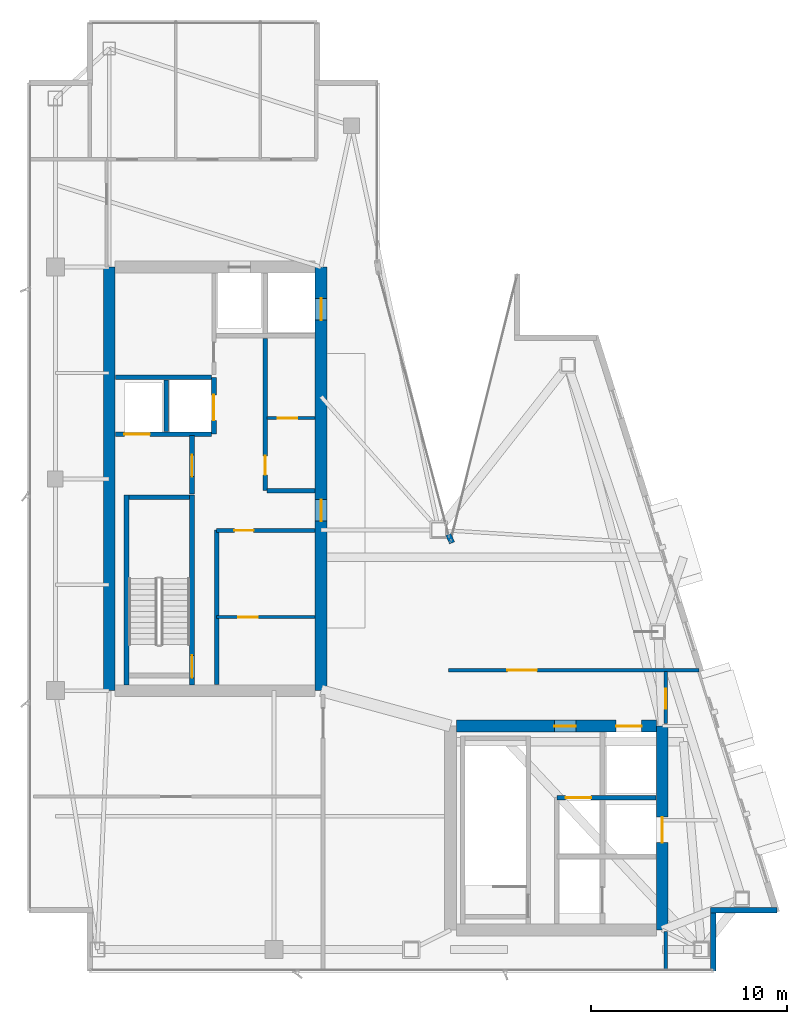
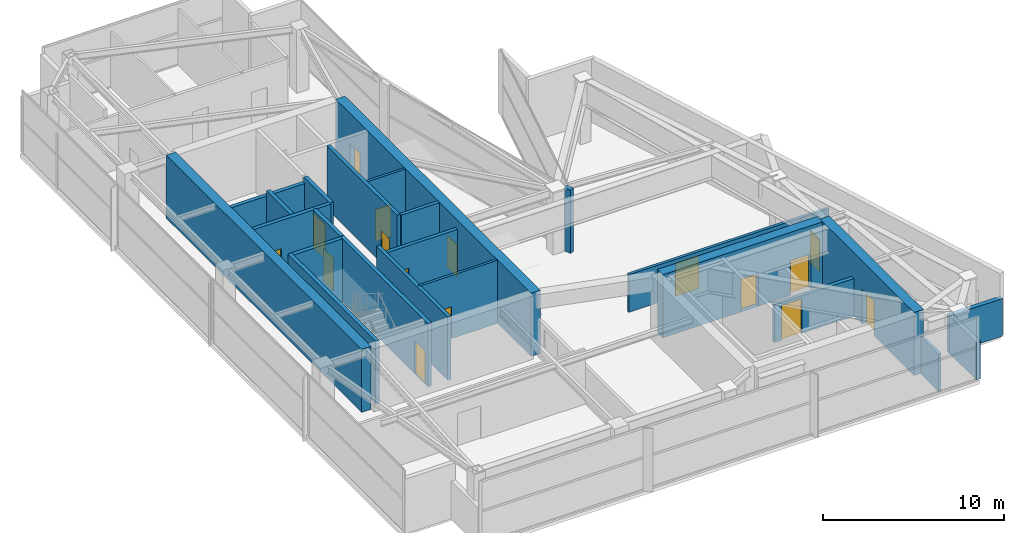
# One storey, part 21 of 25: 25 walls, 16 doors, 16 openings.
"""IFC4 building model written with IfcOpenShell, lengths in metres."""

from ifc_helpers import new_model, si_unit, direction, frame, frame_2d, origin, place, context, subcontext, project, spatial, rectangle, extrude, material, layer, layer_set, type_object, element, fill, save


model = new_model("IFC4")

# Units and contexts
model_context = context("Model", 3, precision=1e-05, world=origin(), true_north=direction((0.0, 1.0)))
body_context = subcontext(model_context, "Body", "Model", "MODEL_VIEW")
ifc_project = project(units=[si_unit("LENGTHUNIT", "METRE"), si_unit("AREAUNIT", "SQUARE_METRE"), si_unit("VOLUMEUNIT", "CUBIC_METRE"), si_unit("PLANEANGLEUNIT", "RADIAN"), si_unit("MASSUNIT", "GRAM", prefix="KILO")], contexts=[model_context])

# Site, building, storey
site_placement = place(None, origin())
site = spatial("IfcSite", under=ifc_project, at=site_placement, CompositionType="ELEMENT")
building_placement = place(site_placement, origin())
building = spatial("IfcBuilding", under=site, at=building_placement, Name="Calvorn Quay Hotel", CompositionType="ELEMENT")
storey_placement = place(building_placement, frame((0.0, 0.0, 316.0)))
storey = spatial("IfcBuildingStorey", under=building, at=storey_placement, Name="L78", CompositionType="ELEMENT", Elevation=316.0)

# Wall
ifc_material_1 = material(Name="Concrete C45", Category="concrete")
ifc_layer_1 = layer(ifc_material_1, 0.60009765625)
ifc_layer_set_1 = layer_set([ifc_layer_1], Name="WL-CORE-600")
wall_type_1 = type_object("IfcWallType", Name="WL-CORE-600", PredefinedType="SHEAR", material=ifc_layer_set_1)
wall_1_placement = place(storey_placement, frame((4.199951171875, 16.800048828125, 0.0), z_axis=(0.0, 0.0, 1.0), x_axis=(0.0, 1.0, 0.0)))
element("IfcWall", 1, at=wall_1_placement, inside=storey, type_object=wall_type_1, Name="West Core Shear Wall W (L78)", PredefinedType="SHEAR", context=body_context, shape_type="SweptSolid", body=[
    extrude(rectangle(XDim=21.599853515625, YDim=0.60009765625, at=frame_2d((10.7998046875, 0.0))), origin(), (0.0, 0.0, 1.0), 4.260009765625),
])

# Wall, openings, doors
wall_2_placement = place(storey_placement, frame((15.0, 16.800048828125, 0.0), z_axis=(0.0, 0.0, 1.0), x_axis=(0.0, 1.0, 0.0)))
wall_2 = element("IfcWall", 2, at=wall_2_placement, inside=storey, type_object=wall_type_1, Name="West Core Shear Wall E (L78)", PredefinedType="SHEAR", context=body_context, shape_type="SweptSolid", body=[
    extrude(rectangle(XDim=21.599853515625, YDim=0.60009765625, at=frame_2d((10.7998046875, 0.0))), origin(), (0.0, 0.0, 1.0), 4.260009765625),
])
opening_1_placement = place(wall_2_placement, frame((8.64990234375, 0.0, 0.0)))
opening_1 = element("IfcOpeningElement", 3, at=opening_1_placement, cuts=wall_2, Name="Opening D-L78-CW1", PredefinedType="OPENING", context=body_context, shape_type="SweptSolid", body=[
    extrude(rectangle(XDim=1.10009765625, YDim=2.199951171875, at=frame_2d((0.550048828125, 1.10009765625))), frame((0.0, 0.31005859375, 0.0), z_axis=(0.0, -1.0, 0.0), x_axis=(1.0, 0.0, 0.0)), (0.0, 0.0, 1.0), 0.6201171875),
])
opening_2_placement = place(wall_2_placement, frame((18.89990234375, 0.0, 0.0)))
opening_2 = element("IfcOpeningElement", 4, at=opening_2_placement, cuts=wall_2, Name="Opening LD-L78-H1", PredefinedType="OPENING", context=body_context, shape_type="SweptSolid", body=[
    extrude(rectangle(XDim=1.10009765625, YDim=2.199951171875, at=frame_2d((0.550048828125, 1.10009765625))), frame((0.0, 0.31005859375, 0.0), z_axis=(0.0, -1.0, 0.0), x_axis=(1.0, 0.0, 0.0)), (0.0, 0.0, 1.0), 0.6201171875),
])
ifc_material_2 = material(Name="Smoke-Sealed Steel Class A Fire Door", Category="steel")
door_type_1 = type_object("IfcDoorType", Name="DR-FFLOBBY-1100", OperationType="NOTDEFINED", PredefinedType="DOOR", material=ifc_material_2)
door_1_placement = place(opening_1_placement, origin())
door_1 = element("IfcDoor", 5, at=door_1_placement, inside=storey, type_object=door_type_1, Name="West Core Vestibule Fire Door (L78)", OperationType="SINGLE_SWING_LEFT", OverallHeight=2.199951171875, OverallWidth=1.10009765625, PredefinedType="DOOR", context=body_context, shape_type="SweptSolid", body=[
    extrude(rectangle(XDim=1.10009765625, YDim=2.199951171875, at=frame_2d((0.550048828125, 1.10009765625))), frame((0.0, 0.02490234375, 0.0), z_axis=(0.0, -1.0, 0.0), x_axis=(1.0, 0.0, 0.0)), (0.0, 0.0, 1.0), 0.050048828125),
])
fill(opening_1, door_1)
ifc_material_3 = material(Name="Brushed Stainless Steel Sliding Lift Landing Door", Category="steel")
door_type_2 = type_object("IfcDoorType", Name="DR-LIFT-PASS-1100", OperationType="NOTDEFINED", PredefinedType="DOOR", material=ifc_material_3)
door_2_placement = place(opening_2_placement, origin())
door_2 = element("IfcDoor", 6, at=door_2_placement, inside=storey, type_object=door_type_2, Name="High-Rise Lift PL-H1 Landing Door (L78)", OperationType="DOUBLE_DOOR_SLIDING", OverallHeight=2.199951171875, OverallWidth=1.10009765625, PredefinedType="DOOR", context=body_context, shape_type="SweptSolid", body=[
    extrude(rectangle(XDim=1.10009765625, YDim=2.199951171875, at=frame_2d((0.550048828125, 1.10009765625))), frame((0.0, 0.02490234375, 0.0), z_axis=(0.0, -1.0, 0.0), x_axis=(1.0, 0.0, 0.0)), (0.0, 0.0, 1.0), 0.050048828125),
])
fill(opening_2, door_2)

# Wall, opening, door
wall_3_placement = place(storey_placement, frame((32.39990234375, 4.60009765625, 0.0), z_axis=(0.0, 0.0, 1.0), x_axis=(0.0, 1.0, 0.0)))
wall_3 = element("IfcWall", 7, at=wall_3_placement, inside=storey, type_object=wall_type_1, Name="East Core Shear Wall E (L78)", PredefinedType="SHEAR", context=body_context, shape_type="SweptSolid", body=[
    extrude(rectangle(XDim=10.39990234375, YDim=0.60009765625, at=frame_2d((5.199951171875, 0.0))), origin(), (0.0, 0.0, 1.0), 4.260009765625),
])
opening_3_placement = place(wall_3_placement, frame((4.449951171875, 0.0, 0.0)))
opening_3 = element("IfcOpeningElement", 8, at=opening_3_placement, cuts=wall_3, Name="Opening LD-L78-OB2", PredefinedType="OPENING", context=body_context, shape_type="SweptSolid", body=[
    extrude(rectangle(XDim=1.300048828125, YDim=2.35009765625, at=frame_2d((0.64990234375, 1.175048828125))), frame((0.0, 0.31005859375, 0.0), z_axis=(0.0, -1.0, 0.0), x_axis=(1.0, 0.0, 0.0)), (0.0, 0.0, 1.0), 0.6201171875),
])
ifc_material_4 = material(Name="Champagne-Bronze Sliding Express Lift Landing Door")
door_type_3 = type_object("IfcDoorType", Name="DR-LIFT-SHUTTLE-1300", OperationType="NOTDEFINED", PredefinedType="DOOR", material=ifc_material_4)
door_3_placement = place(opening_3_placement, origin())
door_3 = element("IfcDoor", 9, at=door_3_placement, inside=storey, type_object=door_type_3, Name="Observation Shuttle PL-OB2 Landing Door (L78)", OperationType="DOUBLE_DOOR_SLIDING", OverallHeight=2.35009765625, OverallWidth=1.300048828125, PredefinedType="DOOR", context=body_context, shape_type="SweptSolid", body=[
    extrude(rectangle(XDim=1.300048828125, YDim=2.35009765625, at=frame_2d((0.64990234375, 1.175048828125))), frame((0.0, 0.02490234375, 0.0), z_axis=(0.0, -1.0, 0.0), x_axis=(1.0, 0.0, 0.0)), (0.0, 0.0, 1.0), 0.050048828125),
])
fill(opening_3, door_3)

# Wall, openings, doors
wall_4_placement = place(storey_placement, frame((21.89990234375, 15.0, 0.0), z_axis=(0.0, 0.0, 1.0), x_axis=(1.0, 0.0, 0.0)))
wall_4 = element("IfcWall", 10, at=wall_4_placement, inside=storey, type_object=wall_type_1, Name="East Core Shear Wall N (L78)", PredefinedType="SHEAR", context=body_context, shape_type="SweptSolid", body=[
    extrude(rectangle(XDim=10.2001953125, YDim=0.60009765625, at=frame_2d((5.10009765625, 0.0))), origin(), (0.0, 0.0, 1.0), 4.260009765625),
])
opening_4_placement = place(wall_4_placement, frame((5.0, 0.0, 0.0)))
opening_4 = element("IfcOpeningElement", 11, at=opening_4_placement, cuts=wall_4, Name="Opening D-L78-FLE", PredefinedType="OPENING", context=body_context, shape_type="SweptSolid", body=[
    extrude(rectangle(XDim=1.10009765625, YDim=2.199951171875, at=frame_2d((0.550048828125, 1.10009765625))), frame((0.0, 0.31005859375, 0.0), z_axis=(0.0, -1.0, 0.0), x_axis=(1.0, 0.0, 0.0)), (0.0, 0.0, 1.0), 0.6201171875),
])
opening_5_placement = place(wall_4_placement, frame((8.14990234375, 0.0, 0.0)))
opening_5 = element("IfcOpeningElement", 12, at=opening_5_placement, cuts=wall_4, Name="Opening LD-L78-OB1", PredefinedType="OPENING", context=body_context, shape_type="SweptSolid", body=[
    extrude(rectangle(XDim=1.300048828125, YDim=2.35009765625, at=frame_2d((0.64990234375, 1.175048828125))), frame((0.0, 0.31005859375, 0.0), z_axis=(0.0, -1.0, 0.0), x_axis=(1.0, 0.0, 0.0)), (0.0, 0.0, 1.0), 0.6201171875),
])
door_4_placement = place(opening_4_placement, origin())
door_4 = element("IfcDoor", 13, at=door_4_placement, inside=storey, type_object=door_type_1, Name="East Firefighting Lobby Fire Door (L78)", OperationType="SINGLE_SWING_RIGHT", OverallHeight=2.199951171875, OverallWidth=1.10009765625, PredefinedType="DOOR", context=body_context, shape_type="SweptSolid", body=[
    extrude(rectangle(XDim=1.10009765625, YDim=2.199951171875, at=frame_2d((0.550048828125, 1.10009765625))), frame((0.0, 0.02490234375, 0.0), z_axis=(0.0, -1.0, 0.0), x_axis=(1.0, 0.0, 0.0)), (0.0, 0.0, 1.0), 0.050048828125),
])
fill(opening_4, door_4)
door_5_placement = place(opening_5_placement, origin())
door_5 = element("IfcDoor", 14, at=door_5_placement, inside=storey, type_object=door_type_3, Name="Observation Shuttle PL-OB1 Landing Door (L78)", OperationType="DOUBLE_DOOR_SLIDING", OverallHeight=2.35009765625, OverallWidth=1.300048828125, PredefinedType="DOOR", context=body_context, shape_type="SweptSolid", body=[
    extrude(rectangle(XDim=1.300048828125, YDim=2.35009765625, at=frame_2d((0.64990234375, 1.175048828125))), frame((0.0, 0.02490234375, 0.0), z_axis=(0.0, -1.0, 0.0), x_axis=(1.0, 0.0, 0.0)), (0.0, 0.0, 1.0), 0.050048828125),
])
fill(opening_5, door_5)

# Wall, opening, door
ifc_material_5 = material(Name="Acoustic Fireboard Steel-Stud Partition", Category="steel")
ifc_layer_2 = layer(ifc_material_5, 0.179931640625)
ifc_layer_set_2 = layer_set([ifc_layer_2], Name="WL-CORR-FIRE-180")
wall_type_2 = type_object("IfcWallType", Name="WL-CORR-FIRE-180", PredefinedType="PARTITIONING", material=ifc_layer_set_2)
wall_5_placement = place(storey_placement, frame((21.5, 17.85009765625, 0.0), z_axis=(0.0, 0.0, 1.0), x_axis=(1.0, 0.0, 0.0)))
wall_5 = element("IfcWall", 15, at=wall_5_placement, inside=storey, type_object=wall_type_2, Name="Partition Wall L78-WL-SK-SE-N", PredefinedType="PARTITIONING", context=body_context, shape_type="SweptSolid", body=[
    extrude(rectangle(XDim=12.780029296875, YDim=0.179931640625, at=frame_2d((6.39013671875, 0.0))), origin(), (0.0, 0.0, 1.0), 2.5400390625),
])
opening_6_placement = place(wall_5_placement, frame((3.0, 0.0, 0.0)))
opening_6 = element("IfcOpeningElement", 16, at=opening_6_placement, cuts=wall_5, Name="Opening D-L78-A2", PredefinedType="OPENING", context=body_context, shape_type="SweptSolid", body=[
    extrude(rectangle(XDim=1.5, YDim=2.219970703125, at=frame_2d((0.75, 1.10986328125))), frame((0.0, 0.099853515625, 0.0), z_axis=(0.0, -1.0, 0.0), x_axis=(1.0, 0.0, 0.0)), (0.0, 0.0, 1.0), 0.199951171875),
])
ifc_material_6 = material(Name="Solid-Core Walnut Double Suite Entry Door")
door_type_4 = type_object("IfcDoorType", Name="DR-SUITE-DBL-1500", OperationType="NOTDEFINED", PredefinedType="DOOR", material=ifc_material_6)
door_6_placement = place(opening_6_placement, origin())
door_6 = element("IfcDoor", 17, at=door_6_placement, inside=storey, type_object=door_type_4, Name="North Gallery Door", OperationType="SINGLE_SWING_LEFT", OverallHeight=2.219970703125, OverallWidth=1.5, PredefinedType="DOOR", context=body_context, shape_type="SweptSolid", body=[
    extrude(rectangle(XDim=1.5, YDim=2.219970703125, at=frame_2d((0.75, 1.10986328125))), frame((0.0, 0.02490234375, 0.0), z_axis=(0.0, -1.0, 0.0), x_axis=(1.0, 0.0, 0.0)), (0.0, 0.0, 1.0), 0.050048828125),
])
fill(opening_6, door_6)

wall_6_placement = place(storey_placement, frame((32.580078125, 15.1201171875, 0.0), z_axis=(0.0, 0.0, 1.0), x_axis=(0.0, 1.0, 0.0)))
wall_6 = element("IfcWall", 18, at=wall_6_placement, inside=storey, type_object=wall_type_2, Name="Partition Wall L78-WL-SK-SE-W", PredefinedType="PARTITIONING", context=body_context, shape_type="SweptSolid", body=[
    extrude(rectangle(XDim=2.659912109375, YDim=0.179931640625, at=frame_2d((1.330078125, 0.0))), origin(), (0.0, 0.0, 1.0), 2.5400390625),
])
opening_7_placement = place(wall_6_placement, frame((0.75, 0.0, 0.0)))
opening_7 = element("IfcOpeningElement", 19, at=opening_7_placement, cuts=wall_6, Name="Opening D-L78-A3", PredefinedType="OPENING", context=body_context, shape_type="SweptSolid", body=[
    extrude(rectangle(XDim=1.02001953125, YDim=2.199951171875, at=frame_2d((0.510009765625, 1.10009765625))), frame((0.0, 0.099853515625, 0.0), z_axis=(0.0, -1.0, 0.0), x_axis=(1.0, 0.0, 0.0)), (0.0, 0.0, 1.0), 0.199951171875),
])
ifc_material_7 = material(Name="Solid-Core Walnut Veneer Hotel Fire Door")
door_type_5 = type_object("IfcDoorType", Name="DR-GUEST-ENTRY-1020", OperationType="NOTDEFINED", PredefinedType="DOOR", material=ifc_material_7)
door_7_placement = place(opening_7_placement, origin())
door_7 = element("IfcDoor", 20, at=door_7_placement, inside=storey, type_object=door_type_5, Name="East Lounge Door", OperationType="SINGLE_SWING_RIGHT", OverallHeight=2.199951171875, OverallWidth=1.02001953125, PredefinedType="DOOR", context=body_context, shape_type="SweptSolid", body=[
    extrude(rectangle(XDim=1.02001953125, YDim=2.199951171875, at=frame_2d((0.510009765625, 1.10009765625))), frame((0.0, 0.02490234375, 0.0), z_axis=(0.0, -1.0, 0.0), x_axis=(1.0, 0.0, 0.0)), (0.0, 0.0, 1.0), 0.050048828125),
])
fill(opening_7, door_7)

# Walls
wall_7_placement = place(storey_placement, frame((32.580078125, 2.60009765625, 0.0), z_axis=(0.0, 0.0, 1.0), x_axis=(0.0, 1.0, 0.0)))
element("IfcWall", 21, at=wall_7_placement, inside=storey, type_object=wall_type_2, Name="Partition Wall L78-WL-SK-SE-WS", PredefinedType="PARTITIONING", context=body_context, shape_type="SweptSolid", body=[
    extrude(rectangle(XDim=1.919921875, YDim=0.179931640625, at=frame_2d((0.9599609375, 0.0))), origin(), (0.0, 0.0, 1.0), 2.5400390625),
])
ifc_material_8 = material(Name="Concrete C40", Category="concrete")
ifc_layer_3 = layer(ifc_material_8, 0.320068359375)
ifc_layer_set_3 = layer_set([ifc_layer_3], Name="WL-EXT-SPANDREL-320")
wall_type_3 = type_object("IfcWallType", Name="WL-EXT-SPANDREL-320", PredefinedType="SOLIDWALL", material=ifc_layer_set_3)
wall_8_placement = place(storey_placement, frame((21.679931640625, 24.340087890625, 0.0), z_axis=(0.0, 0.0, 1.0), x_axis=(-0.40758134973, 0.913168901875, 0.0)))
element("IfcWall", 22, at=wall_8_placement, inside=storey, type_object=wall_type_3, Name="Inner Court Corner Pier L78-ICJ1", PredefinedType="SOLIDWALL", context=body_context, shape_type="SweptSolid", body=[
    extrude(rectangle(XDim=0.470703125, YDim=0.280029296875, at=frame_2d((0.2353515625, 0.0))), origin(), (0.0, 0.0, 1.0), 4.260009765625),
])
wall_9_placement = place(storey_placement, frame((35.0, 2.52001953125, 0.0), z_axis=(0.0, 0.0, 1.0), x_axis=(0.0, 1.0, 0.0)))
element("IfcWall", 23, at=wall_9_placement, inside=storey, type_object=wall_type_3, Name="Notched Corner Spandrel L78-SE1", PredefinedType="SOLIDWALL", context=body_context, shape_type="SweptSolid", body=[
    extrude(rectangle(XDim=2.93994140625, YDim=0.280029296875, at=frame_2d((1.469970703125, 0.0))), origin(), (0.0, 0.0, 1.0), 2.5400390625),
])
wall_10_placement = place(storey_placement, frame((34.860107421875, 5.60009765625, 0.0), z_axis=(0.0, 0.0, 1.0), x_axis=(1.0, 0.0, 0.0)))
element("IfcWall", 24, at=wall_10_placement, inside=storey, type_object=wall_type_3, Name="Notched Corner Spandrel L78-SE2", PredefinedType="SOLIDWALL", context=body_context, shape_type="SweptSolid", body=[
    extrude(rectangle(XDim=3.3798828125, YDim=0.280029296875, at=frame_2d((1.68994140625, 0.0))), origin(), (0.0, 0.0, 1.0), 2.5400390625),
])

# Wall, opening, door
ifc_material_9 = material(Name="Double-Stud Acoustic Gypsum Partition")
ifc_layer_4 = layer(ifc_material_9, 0.159912109375)
ifc_layer_set_4 = layer_set([ifc_layer_4], Name="WL-INTERSUITE-160")
wall_type_4 = type_object("IfcWallType", Name="WL-INTERSUITE-160", PredefinedType="PARTITIONING", material=ifc_layer_set_4)
wall_11_placement = place(storey_placement, frame((9.679931640625, 20.550048828125, 0.0), z_axis=(0.0, 0.0, 1.0), x_axis=(1.0, 0.0, 0.0)))
wall_11 = element("IfcWall", 25, at=wall_11_placement, inside=storey, type_object=wall_type_4, Name="Partition Wall L78-WL-CWW-FR-SPLIT", PredefinedType="PARTITIONING", context=body_context, shape_type="SweptSolid", body=[
    extrude(rectangle(XDim=5.0, YDim=0.159912109375, at=frame_2d((2.5, 0.0))), origin(), (0.0, 0.0, 1.0), 4.260009765625),
])
opening_8_placement = place(wall_11_placement, frame((1.10009765625, 0.0, 0.0)))
opening_8 = element("IfcOpeningElement", 26, at=opening_8_placement, cuts=wall_11, Name="Opening D-L78-FRL1", PredefinedType="OPENING", context=body_context, shape_type="SweptSolid", body=[
    extrude(rectangle(XDim=0.97998046875, YDim=2.14990234375, at=frame_2d((0.489990234375, 1.074951171875))), frame((0.0, 0.08984375, 0.0), z_axis=(0.0, -1.0, 0.0), x_axis=(1.0, 0.0, 0.0)), (0.0, 0.0, 1.0), 0.179931640625),
])
ifc_material_10 = material(Name="Painted Steel Housekeeping/Riser Fire Door", Category="steel")
door_type_6 = type_object("IfcDoorType", Name="DR-SERVICE-980", OperationType="NOTDEFINED", PredefinedType="DOOR", material=ifc_material_10)
door_8_placement = place(opening_8_placement, origin())
door_8 = element("IfcDoor", 27, at=door_8_placement, inside=storey, type_object=door_type_6, Name="Linen Store Room Door (L78)", OperationType="SINGLE_SWING_LEFT", OverallHeight=2.14990234375, OverallWidth=0.97998046875, PredefinedType="DOOR", context=body_context, shape_type="SweptSolid", body=[
    extrude(rectangle(XDim=0.97998046875, YDim=2.14990234375, at=frame_2d((0.489990234375, 1.074951171875))), frame((0.0, 0.02490234375, 0.0), z_axis=(0.0, -1.0, 0.0), x_axis=(1.0, 0.0, 0.0)), (0.0, 0.0, 1.0), 0.050048828125),
])
fill(opening_8, door_8)

wall_12_placement = place(storey_placement, frame((12.25, 30.699951171875, 0.0), z_axis=(0.0, 0.0, 1.0), x_axis=(1.0, 0.0, 0.0)))
wall_12 = element("IfcWall", 28, at=wall_12_placement, inside=storey, type_object=wall_type_4, Name="Partition Wall L78-WL-CWW-FM-SPLIT", PredefinedType="PARTITIONING", context=body_context, shape_type="SweptSolid", body=[
    extrude(rectangle(XDim=2.429931640625, YDim=0.159912109375, at=frame_2d((1.21484375, 0.0))), origin(), (0.0, 0.0, 1.0), 4.260009765625),
])
opening_9_placement = place(wall_12_placement, frame((0.550048828125, 0.0, 0.0)))
opening_9 = element("IfcOpeningElement", 29, at=opening_9_placement, cuts=wall_12, Name="Opening D-L78-FM2", PredefinedType="OPENING", context=body_context, shape_type="SweptSolid", body=[
    extrude(rectangle(XDim=0.97998046875, YDim=2.14990234375, at=frame_2d((0.489990234375, 1.074951171875))), frame((0.0, 0.08984375, 0.0), z_axis=(0.0, -1.0, 0.0), x_axis=(1.0, 0.0, 0.0)), (0.0, 0.0, 1.0), 0.179931640625),
])
door_9_placement = place(opening_9_placement, origin())
door_9 = element("IfcDoor", 30, at=door_9_placement, inside=storey, type_object=door_type_6, Name="Comms Room Door (L78)", OperationType="SINGLE_SWING_LEFT", OverallHeight=2.14990234375, OverallWidth=0.97998046875, PredefinedType="DOOR", context=body_context, shape_type="SweptSolid", body=[
    extrude(rectangle(XDim=0.97998046875, YDim=2.14990234375, at=frame_2d((0.489990234375, 1.074951171875))), frame((0.0, 0.02490234375, 0.0), z_axis=(0.0, -1.0, 0.0), x_axis=(1.0, 0.0, 0.0)), (0.0, 0.0, 1.0), 0.050048828125),
])
fill(opening_9, door_9)

# Wall
ifc_material_11 = material(Name="Autoclaved Aerated Masonry Block", Category="masonry")
ifc_layer_5 = layer(ifc_material_11, 0.219970703125)
ifc_layer_set_5 = layer_set([ifc_layer_5], Name="WL-LOBBY-FIRE-220")
wall_type_5 = type_object("IfcWallType", Name="WL-LOBBY-FIRE-220", PredefinedType="SOLIDWALL", material=ifc_layer_set_5)
wall_13_placement = place(storey_placement, frame((9.679931640625, 17.1201171875, 0.0), z_axis=(0.0, 0.0, 1.0), x_axis=(0.0, 1.0, 0.0)))
element("IfcWall", 31, at=wall_13_placement, inside=storey, type_object=wall_type_5, Name="Partition Wall L78-WL-CWW-STW-HALL-E", PredefinedType="SOLIDWALL", context=body_context, shape_type="SweptSolid", body=[
    extrude(rectangle(XDim=7.8798828125, YDim=0.219970703125, at=frame_2d((3.93994140625, 0.0))), origin(), (0.0, 0.0, 1.0), 4.260009765625),
])

# Wall, opening, door
wall_14_placement = place(storey_placement, frame((9.679931640625, 24.969970703125, 0.0), z_axis=(0.0, 0.0, 1.0), x_axis=(1.0, 0.0, 0.0)))
wall_14 = element("IfcWall", 32, at=wall_14_placement, inside=storey, type_object=wall_type_5, Name="Partition Wall L78-WL-CWW-FR-N", PredefinedType="SOLIDWALL", context=body_context, shape_type="SweptSolid", body=[
    extrude(rectangle(XDim=5.0, YDim=0.219970703125, at=frame_2d((2.5, 0.0))), origin(), (0.0, 0.0, 1.0), 3.68994140625),
])
opening_10_placement = place(wall_14_placement, frame((0.89990234375, 0.0, 0.0)))
opening_10 = element("IfcOpeningElement", 33, at=opening_10_placement, cuts=wall_14, Name="Opening D-L78-FRL2", PredefinedType="OPENING", context=body_context, shape_type="SweptSolid", body=[
    extrude(rectangle(XDim=0.97998046875, YDim=2.14990234375, at=frame_2d((0.489990234375, 1.074951171875))), frame((0.0, 0.119873046875, 0.0), z_axis=(0.0, -1.0, 0.0), x_axis=(1.0, 0.0, 0.0)), (0.0, 0.0, 1.0), 0.239990234375),
])
door_10_placement = place(opening_10_placement, origin())
door_10 = element("IfcDoor", 34, at=door_10_placement, inside=storey, type_object=door_type_6, Name="Beverage Pantry Door (L78)", OperationType="SINGLE_SWING_RIGHT", OverallHeight=2.14990234375, OverallWidth=0.97998046875, PredefinedType="DOOR", context=body_context, shape_type="SweptSolid", body=[
    extrude(rectangle(XDim=0.97998046875, YDim=2.14990234375, at=frame_2d((0.489990234375, 1.074951171875))), frame((0.0, 0.02490234375, 0.0), z_axis=(0.0, -1.0, 0.0), x_axis=(1.0, 0.0, 0.0)), (0.0, 0.0, 1.0), 0.050048828125),
])
fill(opening_10, door_10)

# Wall
wall_15_placement = place(storey_placement, frame((12.25, 27.0, 0.0), z_axis=(0.0, 0.0, 1.0), x_axis=(1.0, 0.0, 0.0)))
element("IfcWall", 35, at=wall_15_placement, inside=storey, type_object=wall_type_5, Name="Partition Wall L78-WL-CWW-FM-S", PredefinedType="SOLIDWALL", context=body_context, shape_type="SweptSolid", body=[
    extrude(rectangle(XDim=2.429931640625, YDim=0.219970703125, at=frame_2d((1.21484375, 0.0))), origin(), (0.0, 0.0, 1.0), 4.260009765625),
])

# Wall, opening, door
wall_16_placement = place(storey_placement, frame((12.14990234375, 27.0, 0.0), z_axis=(0.0, 0.0, 1.0), x_axis=(0.0, 1.0, 0.0)))
wall_16 = element("IfcWall", 36, at=wall_16_placement, inside=storey, type_object=wall_type_5, Name="Partition Wall L78-WL-CWW-FM-W", PredefinedType="SOLIDWALL", context=body_context, shape_type="SweptSolid", body=[
    extrude(rectangle(XDim=7.75, YDim=0.219970703125, at=frame_2d((3.875, 0.0))), origin(), (0.0, 0.0, 1.0), 4.260009765625),
])
opening_11_placement = place(wall_16_placement, frame((0.800048828125, 0.0, 0.0)))
opening_11 = element("IfcOpeningElement", 37, at=opening_11_placement, cuts=wall_16, Name="Opening D-L78-FM1", PredefinedType="OPENING", context=body_context, shape_type="SweptSolid", body=[
    extrude(rectangle(XDim=0.97998046875, YDim=2.14990234375, at=frame_2d((0.489990234375, 1.074951171875))), frame((0.0, 0.119873046875, 0.0), z_axis=(0.0, -1.0, 0.0), x_axis=(1.0, 0.0, 0.0)), (0.0, 0.0, 1.0), 0.239990234375),
])
door_11_placement = place(opening_11_placement, origin())
door_11 = element("IfcDoor", 38, at=door_11_placement, inside=storey, type_object=door_type_6, Name="Butler Pantry Door (L78)", OperationType="SINGLE_SWING_RIGHT", OverallHeight=2.14990234375, OverallWidth=0.97998046875, PredefinedType="DOOR", context=body_context, shape_type="SweptSolid", body=[
    extrude(rectangle(XDim=0.97998046875, YDim=2.14990234375, at=frame_2d((0.489990234375, 1.074951171875))), frame((0.0, 0.02490234375, 0.0), z_axis=(0.0, -1.0, 0.0), x_axis=(1.0, 0.0, 0.0)), (0.0, 0.0, 1.0), 0.050048828125),
])
fill(opening_11, door_11)

# Wall
ifc_material_12 = material(Name="Concrete C40", Category="concrete")
ifc_layer_6 = layer(ifc_material_12, 0.239990234375)
ifc_layer_set_6 = layer_set([ifc_layer_6], Name="WL-SHAFT-240")
wall_type_6 = type_object("IfcWallType", Name="WL-SHAFT-240", PredefinedType="SOLIDWALL", material=ifc_layer_set_6)
wall_17_placement = place(storey_placement, frame((5.080078125, 17.10009765625, 0.0), z_axis=(0.0, 0.0, 1.0), x_axis=(0.0, 1.0, 0.0)))
element("IfcWall", 39, at=wall_17_placement, inside=storey, type_object=wall_type_6, Name="Stair STW Shaft Wall W (L78)", PredefinedType="SOLIDWALL", context=body_context, shape_type="SweptSolid", body=[
    extrude(rectangle(XDim=9.68994140625, YDim=0.239990234375, at=frame_2d((4.844970703125, 0.0))), origin(), (0.0, 0.0, 1.0), 4.260009765625),
])

# Wall, opening, door
wall_18_placement = place(storey_placement, frame((8.419921875, 17.10009765625, 0.0), z_axis=(0.0, 0.0, 1.0), x_axis=(0.0, 1.0, 0.0)))
wall_18 = element("IfcWall", 40, at=wall_18_placement, inside=storey, type_object=wall_type_6, Name="Stair STW Shaft Wall E (L78)", PredefinedType="SOLIDWALL", context=body_context, shape_type="SweptSolid", body=[
    extrude(rectangle(XDim=9.68994140625, YDim=0.239990234375, at=frame_2d((4.844970703125, 0.0))), origin(), (0.0, 0.0, 1.0), 4.260009765625),
])
opening_12_placement = place(wall_18_placement, frame((0.35009765625, 0.0, 0.0)))
opening_12 = element("IfcOpeningElement", 41, at=opening_12_placement, cuts=wall_18, Name="Opening D-L78-STW", PredefinedType="OPENING", context=body_context, shape_type="SweptSolid", body=[
    extrude(rectangle(XDim=1.14990234375, YDim=2.199951171875, at=frame_2d((0.574951171875, 1.10009765625))), frame((0.0, 0.1298828125, 0.0), z_axis=(0.0, -1.0, 0.0), x_axis=(1.0, 0.0, 0.0)), (0.0, 0.0, 1.0), 0.260009765625),
])
ifc_material_13 = material(Name="Galvanised Steel Class A Fire Door", Category="steel")
door_type_7 = type_object("IfcDoorType", Name="DR-STAIR-SMOKE-1150", OperationType="NOTDEFINED", PredefinedType="DOOR", material=ifc_material_13)
door_12_placement = place(opening_12_placement, origin())
door_12 = element("IfcDoor", 42, at=door_12_placement, inside=storey, type_object=door_type_7, Name="Stair ST-W Fire Door (L78)", OperationType="SINGLE_SWING_LEFT", OverallHeight=2.199951171875, OverallWidth=1.14990234375, PredefinedType="DOOR", context=body_context, shape_type="SweptSolid", body=[
    extrude(rectangle(XDim=1.14990234375, YDim=2.199951171875, at=frame_2d((0.574951171875, 1.10009765625))), frame((0.0, 0.02490234375, 0.0), z_axis=(0.0, -1.0, 0.0), x_axis=(1.0, 0.0, 0.0)), (0.0, 0.0, 1.0), 0.050048828125),
])
fill(opening_12, door_12)

# Wall
wall_19_placement = place(storey_placement, frame((5.199951171875, 26.669921875, 0.0), z_axis=(0.0, 0.0, 1.0), x_axis=(1.0, 0.0, 0.0)))
element("IfcWall", 43, at=wall_19_placement, inside=storey, type_object=wall_type_6, Name="Stair STW Shaft Wall N (L78)", PredefinedType="SOLIDWALL", context=body_context, shape_type="SweptSolid", body=[
    extrude(rectangle(XDim=3.10009765625, YDim=0.239990234375, at=frame_2d((1.550048828125, 0.0))), origin(), (0.0, 0.0, 1.0), 4.260009765625),
])

# Wall, opening, door
wall_20_placement = place(storey_placement, frame((8.419921875, 26.820068359375, 0.0), z_axis=(0.0, 0.0, 1.0), x_axis=(0.0, 1.0, 0.0)))
wall_20 = element("IfcWall", 44, at=wall_20_placement, inside=storey, type_object=wall_type_6, Name="Partition Wall L78-WL-CWW-FFL-E", PredefinedType="SOLIDWALL", context=body_context, shape_type="SweptSolid", body=[
    extrude(rectangle(XDim=3.0, YDim=0.239990234375, at=frame_2d((1.5, 0.0))), origin(), (0.0, 0.0, 1.0), 4.260009765625),
])
opening_13_placement = place(wall_20_placement, frame((0.89990234375, 0.0, 0.0)))
opening_13 = element("IfcOpeningElement", 45, at=opening_13_placement, cuts=wall_20, Name="Opening D-L78-FLW", PredefinedType="OPENING", context=body_context, shape_type="SweptSolid", body=[
    extrude(rectangle(XDim=1.10009765625, YDim=2.199951171875, at=frame_2d((0.550048828125, 1.10009765625))), frame((0.0, 0.1298828125, 0.0), z_axis=(0.0, -1.0, 0.0), x_axis=(1.0, 0.0, 0.0)), (0.0, 0.0, 1.0), 0.260009765625),
])
door_13_placement = place(opening_13_placement, origin())
door_13 = element("IfcDoor", 46, at=door_13_placement, inside=storey, type_object=door_type_1, Name="West Firefighting Lobby Fire Door (L78)", OperationType="SINGLE_SWING_RIGHT", OverallHeight=2.199951171875, OverallWidth=1.10009765625, PredefinedType="DOOR", context=body_context, shape_type="SweptSolid", body=[
    extrude(rectangle(XDim=1.10009765625, YDim=2.199951171875, at=frame_2d((0.550048828125, 1.10009765625))), frame((0.0, 0.02490234375, 0.0), z_axis=(0.0, -1.0, 0.0), x_axis=(1.0, 0.0, 0.0)), (0.0, 0.0, 1.0), 0.050048828125),
])
fill(opening_13, door_13)

wall_21_placement = place(storey_placement, frame((4.52001953125, 29.8798828125, 0.0), z_axis=(0.0, 0.0, 1.0), x_axis=(1.0, 0.0, 0.0)))
wall_21 = element("IfcWall", 47, at=wall_21_placement, inside=storey, type_object=wall_type_6, Name="Partition Wall L78-WL-CWW-FLW-S", PredefinedType="SOLIDWALL", context=body_context, shape_type="SweptSolid", body=[
    extrude(rectangle(XDim=4.89990234375, YDim=0.239990234375, at=frame_2d((2.449951171875, 0.0))), origin(), (0.0, 0.0, 1.0), 4.260009765625),
])
opening_14_placement = place(wall_21_placement, frame((0.449951171875, 0.0, 0.0)))
opening_14 = element("IfcOpeningElement", 48, at=opening_14_placement, cuts=wall_21, Name="Opening LD-L78-FLW1", PredefinedType="OPENING", context=body_context, shape_type="SweptSolid", body=[
    extrude(rectangle(XDim=1.300048828125, YDim=2.35009765625, at=frame_2d((0.64990234375, 1.175048828125))), frame((0.0, 0.1298828125, 0.0), z_axis=(0.0, -1.0, 0.0), x_axis=(1.0, 0.0, 0.0)), (0.0, 0.0, 1.0), 0.260009765625),
])
door_14_placement = place(opening_14_placement, origin())
door_14 = element("IfcDoor", 49, at=door_14_placement, inside=storey, type_object=door_type_3, Name="Firefighting Lift FL-W1 Landing Door (L78)", OperationType="DOUBLE_DOOR_SLIDING", OverallHeight=2.35009765625, OverallWidth=1.300048828125, PredefinedType="DOOR", context=body_context, shape_type="SweptSolid", body=[
    extrude(rectangle(XDim=1.300048828125, YDim=2.35009765625, at=frame_2d((0.64990234375, 1.175048828125))), frame((0.0, 0.02490234375, 0.0), z_axis=(0.0, -1.0, 0.0), x_axis=(1.0, 0.0, 0.0)), (0.0, 0.0, 1.0), 0.050048828125),
])
fill(opening_14, door_14)

# Wall
wall_22_placement = place(storey_placement, frame((7.10009765625, 30.02001953125, 0.0), z_axis=(0.0, 0.0, 1.0), x_axis=(0.0, 1.0, 0.0)))
element("IfcWall", 50, at=wall_22_placement, inside=storey, type_object=wall_type_6, Name="Partition Wall L78-WL-CWW-FLW-DIV", PredefinedType="SOLIDWALL", context=body_context, shape_type="SweptSolid", body=[
    extrude(rectangle(XDim=2.6298828125, YDim=0.239990234375, at=frame_2d((1.31494140625, 0.0))), origin(), (0.0, 0.0, 1.0), 4.260009765625),
])

# Wall, opening, door
wall_23_placement = place(storey_placement, frame((9.5400390625, 29.8798828125, 0.0), z_axis=(0.0, 0.0, 1.0), x_axis=(0.0, 1.0, 0.0)))
wall_23 = element("IfcWall", 51, at=wall_23_placement, inside=storey, type_object=wall_type_6, Name="Partition Wall L78-WL-CWW-SLW-E", PredefinedType="SOLIDWALL", context=body_context, shape_type="SweptSolid", body=[
    extrude(rectangle(XDim=2.900146484375, YDim=0.239990234375, at=frame_2d((1.4501953125, 0.0))), origin(), (0.0, 0.0, 1.0), 4.260009765625),
])
opening_15_placement = place(wall_23_placement, frame((0.699951171875, 0.0, 0.0)))
opening_15 = element("IfcOpeningElement", 52, at=opening_15_placement, cuts=wall_23, Name="Opening LD-L78-SLW1", PredefinedType="OPENING", context=body_context, shape_type="SweptSolid", body=[
    extrude(rectangle(XDim=1.300048828125, YDim=2.35009765625, at=frame_2d((0.64990234375, 1.175048828125))), frame((0.0, 0.1298828125, 0.0), z_axis=(0.0, -1.0, 0.0), x_axis=(1.0, 0.0, 0.0)), (0.0, 0.0, 1.0), 0.260009765625),
])
door_15_placement = place(opening_15_placement, origin())
door_15 = element("IfcDoor", 53, at=door_15_placement, inside=storey, type_object=door_type_3, Name="Service Lift SL-W1 Landing Door (L78)", OperationType="DOUBLE_DOOR_SLIDING", OverallHeight=2.35009765625, OverallWidth=1.300048828125, PredefinedType="DOOR", context=body_context, shape_type="SweptSolid", body=[
    extrude(rectangle(XDim=1.300048828125, YDim=2.35009765625, at=frame_2d((0.64990234375, 1.175048828125))), frame((0.0, 0.02490234375, 0.0), z_axis=(0.0, -1.0, 0.0), x_axis=(1.0, 0.0, 0.0)), (0.0, 0.0, 1.0), 0.050048828125),
])
fill(opening_15, door_15)

# Wall
wall_24_placement = place(storey_placement, frame((4.52001953125, 32.780029296875, 0.0), z_axis=(0.0, 0.0, 1.0), x_axis=(1.0, 0.0, 0.0)))
element("IfcWall", 54, at=wall_24_placement, inside=storey, type_object=wall_type_6, Name="Partition Wall L78-WL-CWW-SLW-N", PredefinedType="SOLIDWALL", context=body_context, shape_type="SweptSolid", body=[
    extrude(rectangle(XDim=4.89990234375, YDim=0.239990234375, at=frame_2d((2.449951171875, 0.0))), origin(), (0.0, 0.0, 1.0), 3.889892578125),
])

# Wall, opening, door
wall_25_placement = place(storey_placement, frame((27.02001953125, 11.35009765625, 0.0), z_axis=(0.0, 0.0, 1.0), x_axis=(1.0, 0.0, 0.0)))
wall_25 = element("IfcWall", 55, at=wall_25_placement, inside=storey, type_object=wall_type_6, Name="Partition Wall L78-WL-CWE-FFL-S", PredefinedType="SOLIDWALL", context=body_context, shape_type="SweptSolid", body=[
    extrude(rectangle(XDim=5.06005859375, YDim=0.239990234375, at=frame_2d((2.530029296875, 0.0))), origin(), (0.0, 0.0, 1.0), 2.5400390625),
])
opening_16_placement = place(wall_25_placement, frame((0.449951171875, 0.0, 0.0)))
opening_16 = element("IfcOpeningElement", 56, at=opening_16_placement, cuts=wall_25, Name="Opening LD-L78-FLE1", PredefinedType="OPENING", context=body_context, shape_type="SweptSolid", body=[
    extrude(rectangle(XDim=1.300048828125, YDim=2.35009765625, at=frame_2d((0.64990234375, 1.175048828125))), frame((0.0, 0.1298828125, 0.0), z_axis=(0.0, -1.0, 0.0), x_axis=(1.0, 0.0, 0.0)), (0.0, 0.0, 1.0), 0.260009765625),
])
door_16_placement = place(opening_16_placement, origin())
door_16 = element("IfcDoor", 57, at=door_16_placement, inside=storey, type_object=door_type_3, Name="Firefighting Lift FL-E1 Landing Door (L78)", OperationType="DOUBLE_DOOR_SLIDING", OverallHeight=2.35009765625, OverallWidth=1.300048828125, PredefinedType="DOOR", context=body_context, shape_type="SweptSolid", body=[
    extrude(rectangle(XDim=1.300048828125, YDim=2.35009765625, at=frame_2d((0.64990234375, 1.175048828125))), frame((0.0, 0.02490234375, 0.0), z_axis=(0.0, -1.0, 0.0), x_axis=(1.0, 0.0, 0.0)), (0.0, 0.0, 1.0), 0.050048828125),
])
fill(opening_16, door_16)

save(model, "model.ifc")
